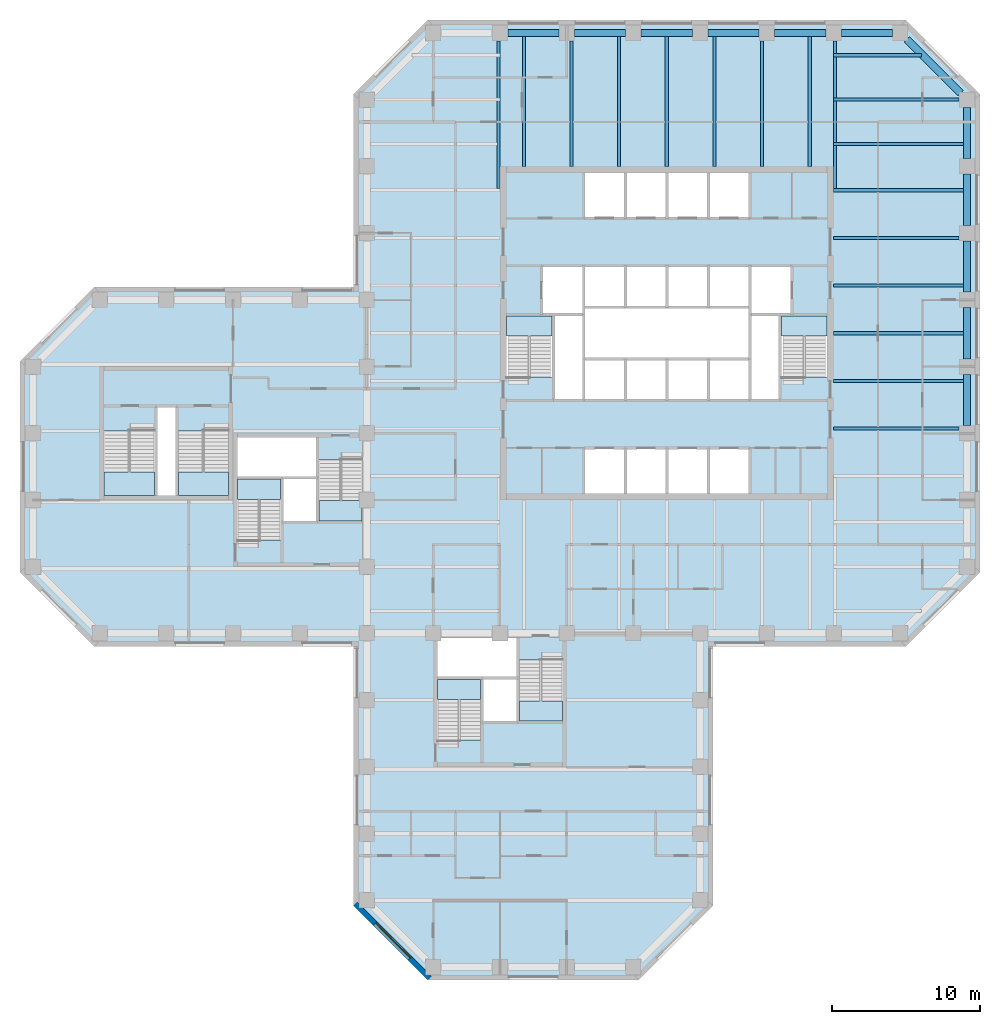
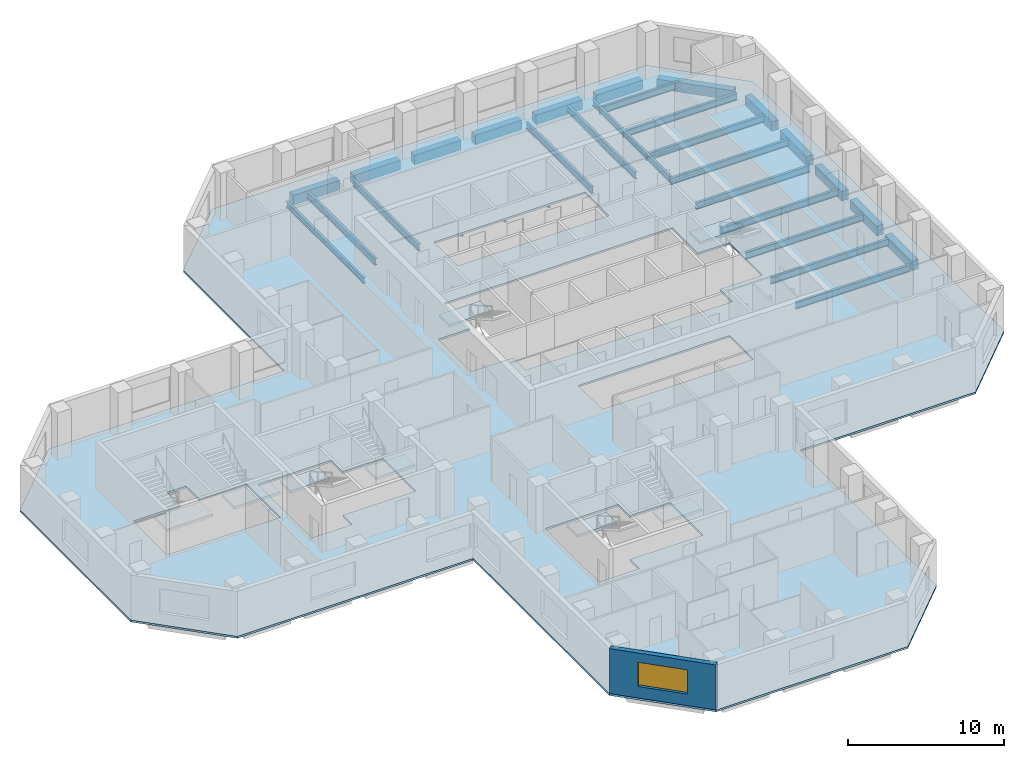
# One storey, part 2 of 10: 30 beams, 9 slabs, 1 wall, 1 window, 1 opening, 8 elements without a shape of their own.
"""IFC4 building model written with IfcOpenShell, lengths in metres."""

from ifc_helpers import new_model, si_unit, direction, frame, frame_2d, origin, origin_2d, place, context, subcontext, project, spatial, polyline, rectangle, i_section, outline, extrude, material, layer, layer_set, constituent, constituent_set, material_profile, profile_set, type_object, element, fill, aggregate, save


model = new_model("IFC4")

# Units and contexts
model_context = context("Model", 3, precision=1e-05, world=origin(), true_north=direction((0.0, 1.0)))
body_context = subcontext(model_context, "Body", "Model", "MODEL_VIEW")
ifc_project = project(units=[si_unit("LENGTHUNIT", "METRE"), si_unit("AREAUNIT", "SQUARE_METRE"), si_unit("VOLUMEUNIT", "CUBIC_METRE"), si_unit("PLANEANGLEUNIT", "RADIAN"), si_unit("MASSUNIT", "GRAM", prefix="KILO")], contexts=[model_context])

# Site, building, storey
site_placement = place(None, origin())
site = spatial("IfcSite", under=ifc_project, at=site_placement, CompositionType="ELEMENT")
building_placement = place(site_placement, origin())
building = spatial("IfcBuilding", under=site, at=building_placement, Name="Quoin Convention Tower", CompositionType="ELEMENT")
storey_placement = place(building_placement, frame((0.0, 0.0, 86.300048828125)))
storey = spatial("IfcBuildingStorey", under=building, at=storey_placement, Name="L22", CompositionType="ELEMENT", Elevation=86.300048828125)

# Beams
ifc_material_1 = material(Name="Steel Grade 300", Category="steel")
ifc_material_profile_1 = material_profile(ifc_material_1, i_section(OverallWidth=0.18994140625, OverallDepth=0.4541015625, WebThickness=0.008544921875, FlangeThickness=0.0126953125, FilletRadius=0.011474609375, at=origin_2d()), Name="460UB67.1")
ifc_profile_set_1 = profile_set([ifc_material_profile_1], Name="Steel Grade 300")
beam_type_1 = type_object("IfcBeamType", Name="460UB67.1", PredefinedType="BEAM", material=ifc_profile_set_1)
for number, where, z_axis, x_axis, name in (
    (1, (44.8955078125, 80.47509765625, -0.376953125), (0.0, -1.0, 0.0), (1.0, 0.0, 0.0), "gir-L22-T1NW"),
    (2, (67.6044921875, 80.47509765625, -0.376953125), (0.0, -1.0, 0.0), (1.0, 0.0, 0.0), "gir-L22-T1NE"),
):
    element("IfcBeam", number, at=place(storey_placement, frame(where, z_axis=z_axis, x_axis=x_axis)), inside=storey, type_object=beam_type_1, Name=name, PredefinedType="BEAM", context=body_context, shape_type="SweptSolid", body=[
        extrude(i_section(OverallWidth=0.18994140625, OverallDepth=0.4541015625, WebThickness=0.008544921875, FlangeThickness=0.0126953125, FilletRadius=0.011474609375, at=origin_2d()), origin(), (0.0, 0.0, 1.0), 9.977783203125),
    ])
ifc_material_profile_2 = material_profile(ifc_material_1, i_section(OverallWidth=0.208984375, OverallDepth=0.528076171875, WebThickness=0.009521484375, FlangeThickness=0.01318359375, FilletRadius=0.013916015625, at=origin_2d()), Name="530UB82.0")
ifc_profile_set_2 = profile_set([ifc_material_profile_2], Name="Steel Grade 300")
beam_type_2 = type_object("IfcBeamType", Name="530UB82.0", PredefinedType="BEAM", material=ifc_profile_set_2)
beam_1_placement = place(storey_placement, frame((67.5, 54.3212890625, -0.4140625), z_axis=(1.0, 0.0, 0.0), x_axis=(0.0, 1.0, 0.0)))
element("IfcBeam", 3, at=beam_1_placement, inside=storey, type_object=beam_type_2, Name="bm-L22-T1E1", PredefinedType="BEAM", context=body_context, shape_type="SweptSolid", body=[
    extrude(i_section(OverallWidth=0.208984375, OverallDepth=0.528076171875, WebThickness=0.009521484375, FlangeThickness=0.01318359375, FilletRadius=0.013916015625, at=origin_2d()), origin(), (0.0, 0.0, 1.0), 8.47509765625),
])
for number, where, z_axis, x_axis, name in (
    (4, (67.5, 57.53564453125, -0.4140625), (1.0, 0.0, 0.0), (0.0, 1.0, 0.0), "bm-L22-T1E2"),
    (5, (67.5, 60.75, -0.4140625), (1.0, 0.0, 0.0), (0.0, 1.0, 0.0), "bm-L22-T1E3"),
    (6, (67.5, 63.96435546875, -0.4140625), (1.0, 0.0, 0.0), (0.0, 1.0, 0.0), "bm-L22-T1E4"),
):
    element("IfcBeam", number, at=place(storey_placement, frame(where, z_axis=z_axis, x_axis=x_axis)), inside=storey, type_object=beam_type_2, Name=name, PredefinedType="BEAM", context=body_context, shape_type="SweptSolid", body=[
        extrude(i_section(OverallWidth=0.208984375, OverallDepth=0.528076171875, WebThickness=0.009521484375, FlangeThickness=0.01318359375, FilletRadius=0.013916015625, at=origin_2d()), origin(), (0.0, 0.0, 1.0), 8.75),
    ])
beam_2_placement = place(storey_placement, frame((67.5, 67.1787109375, -0.4140625), z_axis=(1.0, 0.0, 0.0), x_axis=(0.0, 1.0, 0.0)))
element("IfcBeam", 7, at=beam_2_placement, inside=storey, type_object=beam_type_2, Name="bm-L22-T1E5", PredefinedType="BEAM", context=body_context, shape_type="SweptSolid", body=[
    extrude(i_section(OverallWidth=0.208984375, OverallDepth=0.528076171875, WebThickness=0.009521484375, FlangeThickness=0.01318359375, FilletRadius=0.013916015625, at=origin_2d()), origin(), (0.0, 0.0, 1.0), 8.47509765625),
])
for number, where, z_axis, x_axis, name in (
    (8, (67.5, 70.392822265625, -0.4140625), (1.0, 0.0, 0.0), (0.0, 1.0, 0.0), "bm-L22-T1E6"),
    (9, (46.607177734375, 72.0, -0.4140625), (0.0, 1.0, 0.0), (-1.0, 0.0, 0.0), "bm-L22-T1N0"),
):
    element("IfcBeam", number, at=place(storey_placement, frame(where, z_axis=z_axis, x_axis=x_axis)), inside=storey, type_object=beam_type_2, Name=name, PredefinedType="BEAM", context=body_context, shape_type="SweptSolid", body=[
        extrude(i_section(OverallWidth=0.208984375, OverallDepth=0.528076171875, WebThickness=0.009521484375, FlangeThickness=0.01318359375, FilletRadius=0.013916015625, at=origin_2d()), origin(), (0.0, 0.0, 1.0), 8.75),
    ])
beam_3_placement = place(storey_placement, frame((49.8212890625, 72.0, -0.4140625), z_axis=(0.0, 1.0, 0.0), x_axis=(-1.0, 0.0, 0.0)))
element("IfcBeam", 10, at=beam_3_placement, inside=storey, type_object=beam_type_2, Name="bm-L22-T1N1", PredefinedType="BEAM", context=body_context, shape_type="SweptSolid", body=[
    extrude(i_section(OverallWidth=0.208984375, OverallDepth=0.528076171875, WebThickness=0.009521484375, FlangeThickness=0.01318359375, FilletRadius=0.013916015625, at=origin_2d()), origin(), (0.0, 0.0, 1.0), 8.47509765625),
])
for number, where, z_axis, x_axis, name in (
    (11, (53.03564453125, 72.0, -0.4140625), (0.0, 1.0, 0.0), (-1.0, 0.0, 0.0), "bm-L22-T1N2"),
    (12, (56.25, 72.0, -0.4140625), (0.0, 1.0, 0.0), (-1.0, 0.0, 0.0), "bm-L22-T1N3"),
    (13, (59.46435546875, 72.0, -0.4140625), (0.0, 1.0, 0.0), (-1.0, 0.0, 0.0), "bm-L22-T1N4"),
):
    element("IfcBeam", number, at=place(storey_placement, frame(where, z_axis=z_axis, x_axis=x_axis)), inside=storey, type_object=beam_type_2, Name=name, PredefinedType="BEAM", context=body_context, shape_type="SweptSolid", body=[
        extrude(i_section(OverallWidth=0.208984375, OverallDepth=0.528076171875, WebThickness=0.009521484375, FlangeThickness=0.01318359375, FilletRadius=0.013916015625, at=origin_2d()), origin(), (0.0, 0.0, 1.0), 8.75),
    ])
beam_4_placement = place(storey_placement, frame((62.6787109375, 72.0, -0.4140625), z_axis=(0.0, 1.0, 0.0), x_axis=(-1.0, 0.0, 0.0)))
element("IfcBeam", 14, at=beam_4_placement, inside=storey, type_object=beam_type_2, Name="bm-L22-T1N5", PredefinedType="BEAM", context=body_context, shape_type="SweptSolid", body=[
    extrude(i_section(OverallWidth=0.208984375, OverallDepth=0.528076171875, WebThickness=0.009521484375, FlangeThickness=0.01318359375, FilletRadius=0.013916015625, at=origin_2d()), origin(), (0.0, 0.0, 1.0), 8.47509765625),
])
beam_5_placement = place(storey_placement, frame((65.892822265625, 72.0, -0.4140625), z_axis=(0.0, 1.0, 0.0), x_axis=(-1.0, 0.0, 0.0)))
element("IfcBeam", 15, at=beam_5_placement, inside=storey, type_object=beam_type_2, Name="bm-L22-T1N6", PredefinedType="BEAM", context=body_context, shape_type="SweptSolid", body=[
    extrude(i_section(OverallWidth=0.208984375, OverallDepth=0.528076171875, WebThickness=0.009521484375, FlangeThickness=0.01318359375, FilletRadius=0.013916015625, at=origin_2d()), origin(), (0.0, 0.0, 1.0), 8.75),
])
beam_6_placement = place(storey_placement, frame((67.5, 79.5, -0.4140625), z_axis=(1.0, 0.0, 0.0), x_axis=(0.0, 1.0, 0.0)))
element("IfcBeam", 16, at=beam_6_placement, inside=storey, type_object=beam_type_2, Name="bm-L22-T1NE0", PredefinedType="BEAM", context=body_context, shape_type="SweptSolid", body=[
    extrude(i_section(OverallWidth=0.208984375, OverallDepth=0.528076171875, WebThickness=0.009521484375, FlangeThickness=0.01318359375, FilletRadius=0.013916015625, at=origin_2d()), origin(), (0.0, 0.0, 1.0), 5.927734375),
])
beam_7_placement = place(storey_placement, frame((67.5, 76.5, -0.4140625), z_axis=(1.0, 0.0, 0.0), x_axis=(0.0, 1.0, 0.0)))
element("IfcBeam", 17, at=beam_7_placement, inside=storey, type_object=beam_type_2, Name="bm-L22-T1NE1", PredefinedType="BEAM", context=body_context, shape_type="SweptSolid", body=[
    extrude(i_section(OverallWidth=0.208984375, OverallDepth=0.528076171875, WebThickness=0.009521484375, FlangeThickness=0.01318359375, FilletRadius=0.013916015625, at=origin_2d()), origin(), (0.0, 0.0, 1.0), 8.47509765625),
])
beam_8_placement = place(storey_placement, frame((67.5, 73.5, -0.4140625), z_axis=(1.0, 0.0, 0.0), x_axis=(0.0, 1.0, 0.0)))
element("IfcBeam", 18, at=beam_8_placement, inside=storey, type_object=beam_type_2, Name="bm-L22-T1NE2", PredefinedType="BEAM", context=body_context, shape_type="SweptSolid", body=[
    extrude(i_section(OverallWidth=0.208984375, OverallDepth=0.528076171875, WebThickness=0.009521484375, FlangeThickness=0.01318359375, FilletRadius=0.013916015625, at=origin_2d()), origin(), (0.0, 0.0, 1.0), 8.75),
])
ifc_material_2 = material(Name="Concrete C65", Category="concrete")
ifc_material_profile_3 = material_profile(ifc_material_2, rectangle(XDim=0.5, YDim=0.75, at=origin_2d()), Name="RC 500x750")
ifc_profile_set_3 = profile_set([ifc_material_profile_3], Name="Concrete C65")
beam_type_3 = type_object("IfcBeamType", Name="RC 500x750 C65", PredefinedType="SPANDREL", material=ifc_profile_set_3)
for number, where, z_axis, x_axis, name in (
    (19, (76.5, 54.52490234375, -0.525146484375), (0.0, 1.0, 0.0), (-1.0, 0.0, 0.0), "spd-L22-76500_54000-76500_58500"),
    (20, (76.5, 59.02490234375, -0.525146484375), (0.0, 1.0, 0.0), (-1.0, 0.0, 0.0), "spd-L22-76500_58500-76500_63000"),
    (21, (76.5, 63.52490234375, -0.525146484375), (0.0, 1.0, 0.0), (-1.0, 0.0, 0.0), "spd-L22-76500_63000-76500_67500"),
    (22, (76.5, 68.02490234375, -0.525146484375), (0.0, 1.0, 0.0), (-1.0, 0.0, 0.0), "spd-L22-76500_67500-76500_72000"),
    (23, (76.5, 72.52490234375, -0.525146484375), (0.0, 1.0, 0.0), (-1.0, 0.0, 0.0), "spd-L22-76500_72000-76500_76500"),
):
    element("IfcBeam", number, at=place(storey_placement, frame(where, z_axis=z_axis, x_axis=x_axis)), inside=storey, type_object=beam_type_3, Name=name, PredefinedType="SPANDREL", context=body_context, shape_type="SweptSolid", body=[
        extrude(rectangle(XDim=0.5, YDim=0.75, at=origin_2d()), origin(), (0.0, 0.0, 1.0), 3.4501953125),
    ])
beam_9_placement = place(storey_placement, frame((76.059814453125, 76.940185546875, -0.525146484375), z_axis=(-0.707106781187, 0.707106781187, 0.0), x_axis=(-0.707106781187, -0.707106781187, 0.0)))
element("IfcBeam", 24, at=beam_9_placement, inside=storey, type_object=beam_type_3, Name="spd-L22-76500_76500-72000_81000", PredefinedType="SPANDREL", context=body_context, shape_type="SweptSolid", body=[
    extrude(rectangle(XDim=0.5, YDim=0.75, at=origin_2d()), origin(), (0.0, 0.0, 1.0), 5.118896484375),
])
for number, where, z_axis, x_axis, name in (
    (25, (71.47509765625, 81.0, -0.525146484375), (-1.0, 0.0, 0.0), (0.0, -1.0, 0.0), "spd-L22-72000_81000-67500_81000"),
    (26, (66.97509765625, 81.0, -0.525146484375), (-1.0, 0.0, 0.0), (0.0, -1.0, 0.0), "spd-L22-67500_81000-63000_81000"),
    (27, (62.47509765625, 81.0, -0.525146484375), (-1.0, 0.0, 0.0), (0.0, -1.0, 0.0), "spd-L22-63000_81000-58500_81000"),
    (28, (57.97509765625, 81.0, -0.525146484375), (-1.0, 0.0, 0.0), (0.0, -1.0, 0.0), "spd-L22-58500_81000-54000_81000"),
    (29, (53.47509765625, 81.0, -0.525146484375), (-1.0, 0.0, 0.0), (0.0, -1.0, 0.0), "spd-L22-54000_81000-49500_81000"),
    (30, (48.97509765625, 81.0, -0.525146484375), (-1.0, 0.0, 0.0), (0.0, -1.0, 0.0), "spd-L22-49500_81000-45000_81000"),
):
    element("IfcBeam", number, at=place(storey_placement, frame(where, z_axis=z_axis, x_axis=x_axis)), inside=storey, type_object=beam_type_3, Name=name, PredefinedType="SPANDREL", context=body_context, shape_type="SweptSolid", body=[
        extrude(rectangle(XDim=0.5, YDim=0.75, at=origin_2d()), origin(), (0.0, 0.0, 1.0), 3.4501953125),
    ])

# Slab
ifc_material_3 = material(Name="Concrete C40", Category="concrete")
ifc_layer_1 = layer(ifc_material_3, 0.14990234375)
ifc_layer_set_1 = layer_set([ifc_layer_1], Name="Concrete C40")
slab_type_1 = type_object("IfcSlabType", Name="COMPOSITE SLAB 150 C40", PredefinedType="FLOOR", material=ifc_layer_set_1)
slab_1_placement = place(storey_placement, frame((0.0, 0.0, -0.150146484375)))
element("IfcSlab", 31, at=slab_1_placement, inside=storey, type_object=slab_type_1, Name="slb-L22", PredefinedType="FLOOR", context=body_context, shape_type="SweptSolid", body=[
    extrude(outline(polyline([(59.375, 22.1376953125), (54.3623046875, 17.125), (40.1376953125, 17.125), (35.125, 22.1376953125), (35.125, 39.625), (17.6376953125, 39.625), (12.625, 44.6376953125), (12.625, 58.8623046875), (17.6376953125, 63.875), (35.125, 63.875), (35.125, 76.8623046875), (40.1376953125, 81.875), (72.3623046875, 81.875), (77.375, 76.8623046875), (77.375, 44.6376953125), (72.3623046875, 39.625), (59.375, 39.625), (59.375, 22.1376953125)]), holes=[polyline([(40.800048828125, 40.199951171875), (40.800048828125, 37.5), (40.800048828125, 33.300537109375), (43.800048828125, 33.300537109375), (43.800048828125, 34.5), (46.199951171875, 34.5), (49.199951171875, 34.5), (49.199951171875, 38.699462890625), (46.199951171875, 38.699462890625), (46.199951171875, 40.199951171875), (40.800048828125, 40.199951171875)]), polyline([(35.699951171875, 52.199462890625), (32.699951171875, 52.199462890625), (32.699951171875, 53.699951171875), (27.300048828125, 53.699951171875), (27.300048828125, 51.0), (27.300048828125, 46.800537109375), (30.300048828125, 46.800537109375), (30.300048828125, 48.0), (32.699951171875, 48.0), (35.699951171875, 48.0), (35.699951171875, 52.199462890625)]), polyline([(53.449951171875, 49.949951171875), (56.25, 49.949951171875), (59.050048828125, 49.949951171875), (61.85009765625, 49.949951171875), (61.85009765625, 53.0), (59.050048828125, 53.0), (56.25, 53.0), (53.449951171875, 53.0), (50.64990234375, 53.0), (50.64990234375, 49.949951171875), (53.449951171875, 49.949951171875)]), polyline([(21.800048828125, 55.85009765625), (21.800048828125, 54.1494140625), (18.300048828125, 54.1494140625), (18.300048828125, 49.800048828125), (21.800048828125, 49.800048828125), (23.199951171875, 49.800048828125), (26.699951171875, 49.800048828125), (26.699951171875, 54.1494140625), (23.199951171875, 54.1494140625), (23.199951171875, 55.85009765625), (21.800048828125, 55.85009765625)]), polyline([(48.60009765625, 57.800537109375), (48.60009765625, 56.199951171875), (50.64990234375, 56.199951171875), (53.449951171875, 56.199951171875), (56.25, 56.199951171875), (59.050048828125, 56.199951171875), (61.85009765625, 56.199951171875), (63.89990234375, 56.199951171875), (63.89990234375, 57.800537109375), (67.050048828125, 57.800537109375), (67.050048828125, 62.0), (64.699951171875, 62.0), (64.699951171875, 65.300048828125), (61.85009765625, 65.300048828125), (59.050048828125, 65.300048828125), (56.25, 65.300048828125), (53.449951171875, 65.300048828125), (50.64990234375, 65.300048828125), (47.800048828125, 65.300048828125), (47.800048828125, 62.0), (45.449951171875, 62.0), (45.449951171875, 57.800537109375), (48.60009765625, 57.800537109375)]), polyline([(50.64990234375, 68.5), (53.449951171875, 68.5), (56.25, 68.5), (59.050048828125, 68.5), (61.85009765625, 68.5), (61.85009765625, 71.550048828125), (59.050048828125, 71.550048828125), (56.25, 71.550048828125), (53.449951171875, 71.550048828125), (50.64990234375, 71.550048828125), (50.64990234375, 68.5)])]), origin(), (0.0, 0.0, 1.0), 0.150146484375),
])

# Stair, slab
stair_type_1 = type_object("IfcStairType", Name="Exit stair two-flight 1350", PredefinedType="HALF_TURN_STAIR", material=ifc_material_3)
stair_1_placement = place(storey_placement, origin())
stair_1 = element("IfcStair", 32, at=stair_1_placement, inside=storey, type_object=stair_type_1, Name="SD1 L22", PredefinedType="HALF_TURN_STAIR")
ifc_layer_2 = layer(ifc_material_3, 0.199951171875)
ifc_layer_set_2 = layer_set([ifc_layer_2], Name="Concrete C40")
slab_type_2 = type_object("IfcSlabType", Name="Stair landing 200", PredefinedType="LANDING", material=ifc_layer_set_2)
slab_2_placement = place(storey_placement, frame((0.0, 0.0, 1.792236328125)))
slab_2 = element("IfcSlab", 33, at=slab_2_placement, type_object=slab_type_2, Name="ST1 landing 1", PredefinedType="LANDING", context=body_context, shape_type="SweptSolid", body=[
    extrude(outline(polyline([(45.449951171875, 60.550048828125), (48.5, 60.550048828125), (48.5, 61.89990234375), (45.449951171875, 61.89990234375), (45.449951171875, 60.550048828125)])), origin(), (0.0, 0.0, 1.0), 0.199951171875),
])
aggregate(stair_1, [slab_2])

stair_2_placement = place(storey_placement, origin())
stair_2 = element("IfcStair", 34, at=stair_2_placement, inside=storey, type_object=stair_type_1, Name="SD2 L22", PredefinedType="HALF_TURN_STAIR")
slab_3_placement = place(storey_placement, frame((0.0, 0.0, 1.792236328125)))
slab_3 = element("IfcSlab", 35, at=slab_3_placement, type_object=slab_type_2, Name="ST2 landing 1", PredefinedType="LANDING", context=body_context, shape_type="SweptSolid", body=[
    extrude(outline(polyline([(64.0, 60.550048828125), (67.050048828125, 60.550048828125), (67.050048828125, 61.89990234375), (64.0, 61.89990234375), (64.0, 60.550048828125)])), origin(), (0.0, 0.0, 1.0), 0.199951171875),
])
aggregate(stair_2, [slab_3])

stair_3_placement = place(storey_placement, origin())
stair_3 = element("IfcStair", 36, at=stair_3_placement, inside=storey, type_object=stair_type_1, Name="SD3 L22", PredefinedType="HALF_TURN_STAIR")
slab_4_placement = place(storey_placement, frame((0.0, 0.0, 1.792236328125)))
slab_4 = element("IfcSlab", 37, at=slab_4_placement, type_object=slab_type_2, Name="ST3 landing 1", PredefinedType="LANDING", context=body_context, shape_type="SweptSolid", body=[
    extrude(outline(polyline([(27.300048828125, 49.550048828125), (30.199951171875, 49.550048828125), (30.199951171875, 50.89990234375), (27.300048828125, 50.89990234375), (27.300048828125, 49.550048828125)])), origin(), (0.0, 0.0, 1.0), 0.199951171875),
])
aggregate(stair_3, [slab_4])

stair_4_placement = place(storey_placement, origin())
stair_4 = element("IfcStair", 38, at=stair_4_placement, inside=storey, type_object=stair_type_1, Name="SD4 L22", PredefinedType="HALF_TURN_STAIR")
slab_5_placement = place(storey_placement, frame((0.0, 0.0, 1.792236328125)))
slab_5 = element("IfcSlab", 39, at=slab_5_placement, type_object=slab_type_2, Name="ST4 landing 1", PredefinedType="LANDING", context=body_context, shape_type="SweptSolid", body=[
    extrude(outline(polyline([(35.699951171875, 49.449951171875), (32.800048828125, 49.449951171875), (32.800048828125, 48.10009765625), (35.699951171875, 48.10009765625), (35.699951171875, 49.449951171875)])), origin(), (0.0, 0.0, 1.0), 0.199951171875),
])
aggregate(stair_4, [slab_5])

stair_5_placement = place(storey_placement, origin())
stair_5 = element("IfcStair", 40, at=stair_5_placement, inside=storey, type_object=stair_type_1, Name="SD5 L22", PredefinedType="HALF_TURN_STAIR")
slab_6_placement = place(storey_placement, frame((0.0, 0.0, 1.792236328125)))
slab_6 = element("IfcSlab", 41, at=slab_6_placement, type_object=slab_type_2, Name="ST5 landing 1", PredefinedType="LANDING", context=body_context, shape_type="SweptSolid", body=[
    extrude(outline(polyline([(40.800048828125, 36.050048828125), (43.699951171875, 36.050048828125), (43.699951171875, 37.39990234375), (40.800048828125, 37.39990234375), (40.800048828125, 36.050048828125)])), origin(), (0.0, 0.0, 1.0), 0.199951171875),
])
aggregate(stair_5, [slab_6])

stair_6_placement = place(storey_placement, origin())
stair_6 = element("IfcStair", 42, at=stair_6_placement, inside=storey, type_object=stair_type_1, Name="SD6 L22", PredefinedType="HALF_TURN_STAIR")
slab_7_placement = place(storey_placement, frame((0.0, 0.0, 1.792236328125)))
slab_7 = element("IfcSlab", 43, at=slab_7_placement, type_object=slab_type_2, Name="ST6 landing 1", PredefinedType="LANDING", context=body_context, shape_type="SweptSolid", body=[
    extrude(outline(polyline([(49.199951171875, 35.949951171875), (46.300048828125, 35.949951171875), (46.300048828125, 34.60009765625), (49.199951171875, 34.60009765625), (49.199951171875, 35.949951171875)])), origin(), (0.0, 0.0, 1.0), 0.199951171875),
])
aggregate(stair_6, [slab_7])

stair_type_2 = type_object("IfcStairType", Name="Exit stair two-flight 1600", PredefinedType="HALF_TURN_STAIR", material=ifc_material_3)
stair_7_placement = place(storey_placement, origin())
stair_7 = element("IfcStair", 44, at=stair_7_placement, inside=storey, type_object=stair_type_2, Name="SD11 L22", PredefinedType="HALF_TURN_STAIR")
slab_8_placement = place(storey_placement, frame((0.0, 0.0, 1.792236328125)))
slab_8 = element("IfcSlab", 45, at=slab_8_placement, type_object=slab_type_2, Name="ST11 landing 1", PredefinedType="LANDING", context=body_context, shape_type="SweptSolid", body=[
    extrude(outline(polyline([(21.699951171875, 51.39990234375), (18.300048828125, 51.39990234375), (18.300048828125, 49.800048828125), (21.699951171875, 49.800048828125), (21.699951171875, 51.39990234375)])), origin(), (0.0, 0.0, 1.0), 0.199951171875),
])
aggregate(stair_7, [slab_8])

stair_8_placement = place(storey_placement, origin())
stair_8 = element("IfcStair", 46, at=stair_8_placement, inside=storey, type_object=stair_type_2, Name="SD12 L22", PredefinedType="HALF_TURN_STAIR")
slab_9_placement = place(storey_placement, frame((0.0, 0.0, 1.792236328125)))
slab_9 = element("IfcSlab", 47, at=slab_9_placement, type_object=slab_type_2, Name="ST12 landing 1", PredefinedType="LANDING", context=body_context, shape_type="SweptSolid", body=[
    extrude(outline(polyline([(26.699951171875, 51.39990234375), (23.300048828125, 51.39990234375), (23.300048828125, 49.800048828125), (26.699951171875, 49.800048828125), (26.699951171875, 51.39990234375)])), origin(), (0.0, 0.0, 1.0), 0.199951171875),
])
aggregate(stair_8, [slab_9])

# Wall, opening, window
ifc_material_4 = material(Name="Brick masonry", Category="masonry")
ifc_layer_3 = layer(ifc_material_4, 0.35009765625)
ifc_layer_set_3 = layer_set([ifc_layer_3], Name="Brick masonry")
wall_type = type_object("IfcWallType", Name="Brick facade wall", PredefinedType="STANDARD", material=ifc_layer_set_3)
wall_placement = place(storey_placement, frame((35.248779296875, 22.26123046875, 0.0), z_axis=(0.0, 0.0, 1.0), x_axis=(0.707106781187, -0.707106781187, 0.0)))
wall = element("IfcWall", 48, at=wall_placement, inside=storey, type_object=wall_type, Name="fw-L22-36000_22500", PredefinedType="STANDARD", context=body_context, shape_type="SweptSolid", body=[
    extrude(rectangle(XDim=7.088623046875, YDim=0.35009765625, at=frame_2d((3.54443359375, 0.0))), origin(), (0.0, 0.0, 1.0), 3.52490234375),
])
opening_placement = place(wall_placement, frame((1.894287109375, 0.0, 0.89990234375)))
opening = element("IfcOpeningElement", 49, at=opening_placement, cuts=wall, Name="Opening W-02", PredefinedType="OPENING", context=body_context, shape_type="SweptSolid", body=[
    extrude(rectangle(XDim=3.300048828125, YDim=1.89990234375, at=frame_2d((1.64990234375, 0.949951171875))), frame((0.0, 0.18505859375, 0.0), z_axis=(0.0, -1.0, 0.0), x_axis=(1.0, 0.0, 0.0)), (0.0, 0.0, 1.0), 0.3701171875),
])
ifc_material_5 = material(Name="Aluminium", Category="aluminium")
ifc_constituent_1 = constituent(ifc_material_5, Name="Frame")
ifc_material_6 = material(Name="Insulated glass", Category="glass")
ifc_constituent_2 = constituent(ifc_material_6, Name="Glazing")
ifc_constituent_set = constituent_set(constituents=[ifc_constituent_1, ifc_constituent_2], Name="Aluminium")
window_type = type_object("IfcWindowType", Name="Office window", PartitioningType="DOUBLE_PANEL_VERTICAL", PredefinedType="WINDOW", material=ifc_constituent_set)
window_placement = place(opening_placement, origin())
window = element("IfcWindow", 50, at=window_placement, inside=storey, type_object=window_type, Name="win-L22-37755_19755", OverallHeight=1.89990234375, OverallWidth=3.300048828125, PartitioningType="SINGLE_PANEL", PredefinedType="WINDOW", context=body_context, shape_type="SweptSolid", body=[
    extrude(rectangle(XDim=3.300048828125, YDim=1.89990234375, at=frame_2d((1.64990234375, 0.949951171875))), frame((0.0, 0.0849609375, 0.0), z_axis=(0.0, -1.0, 0.0), x_axis=(1.0, 0.0, 0.0)), (0.0, 0.0, 1.0), 0.06005859375),
])
fill(opening, window)

save(model, "model.ifc")
